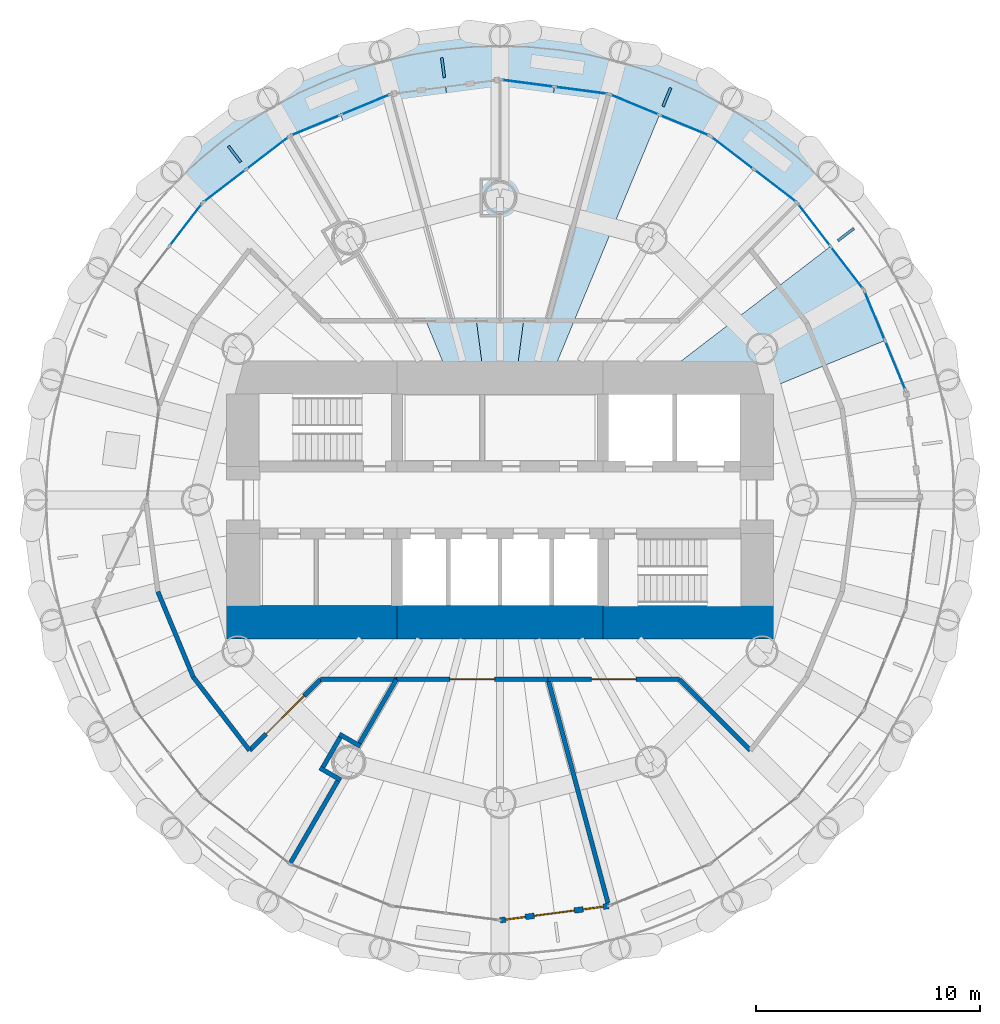
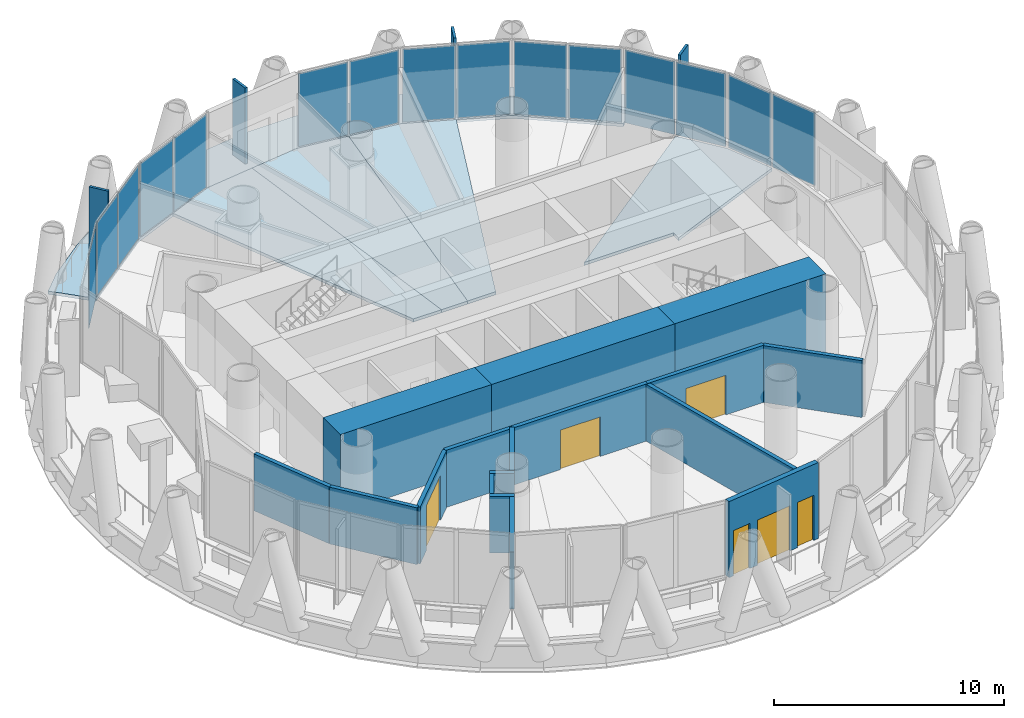
# One storey, part 8 of 15: 19 plates, 17 walls, 5 slabs, 4 doors, 2 windows, 6 openings, 8 elements without a shape of their own.
"""IFC4 building model written with IfcOpenShell, lengths in metres."""

from ifc_helpers import new_model, si_unit, direction, frame, frame_2d, origin, origin_2d, place, context, subcontext, project, spatial, polyline, rectangle, outline, extrude, material, layer, layer_set, type_object, element, fill, aggregate, save


model = new_model("IFC4")

# Units and contexts
model_context = context("Model", 3, precision=1e-05, world=origin(), true_north=direction((0.0, 1.0)))
body_context = subcontext(model_context, "Body", "Model", "MODEL_VIEW")
ifc_project = project(units=[si_unit("LENGTHUNIT", "METRE"), si_unit("AREAUNIT", "SQUARE_METRE"), si_unit("VOLUMEUNIT", "CUBIC_METRE"), si_unit("PLANEANGLEUNIT", "RADIAN"), si_unit("MASSUNIT", "GRAM", prefix="KILO")], contexts=[model_context])

# Site, building, storey
site_placement = place(None, origin())
site = spatial("IfcSite", under=ifc_project, at=site_placement, CompositionType="ELEMENT")
building_placement = place(site_placement, origin())
building = spatial("IfcBuilding", under=site, at=building_placement, Name="Qaws Media Tower", CompositionType="ELEMENT")
storey_placement = place(building_placement, frame((0.0, 0.0, 273.800048828125)))
storey = spatial("IfcBuildingStorey", under=building, at=storey_placement, Name="L63", CompositionType="ELEMENT", Elevation=273.800048828125)

# Slabs
ifc_material_1 = material(Name="Concrete C35/45", Category="concrete")
ifc_layer_1 = layer(ifc_material_1, 0.159912109375)
ifc_layer_set_1 = layer_set([ifc_layer_1], Name="Composite balcony slab 160")
slab_type_1 = type_object("IfcSlabType", Name="Composite balcony slab 160", PredefinedType="FLOOR", material=ifc_layer_set_1)
slab_1_placement = place(storey_placement, frame((0.0, 0.0, -0.16015625)))
element("IfcSlab", 1, at=slab_1_placement, inside=storey, type_object=slab_type_1, Name="S2 balcony slab L63 R04 to R10, movement joints on R04 and R10", PredefinedType="FLOOR", context=body_context, shape_type="SweptSolid", body=[
    extrude(outline(polyline([(46.186767578125, 65.7509765625), (48.36083984375, 67.419189453125), (50.734130859375, 68.78955078125), (53.265869140625, 69.838134765625), (55.912841796875, 70.547607421875), (58.6298828125, 70.905029296875), (61.3701171875, 70.905029296875), (64.087158203125, 70.547607421875), (66.734130859375, 69.838134765625), (69.265869140625, 68.78955078125), (71.63916015625, 67.419189453125), (73.813232421875, 65.7509765625), (74.7822265625, 64.7822265625), (73.25830078125, 63.25830078125), (69.375, 66.238037109375), (64.852783203125, 68.111083984375), (60.0, 68.75), (55.147216796875, 68.111083984375), (50.625, 66.238037109375), (46.74169921875, 63.25830078125), (45.2177734375, 64.7822265625), (46.186767578125, 65.7509765625)])), origin(), (0.0, 0.0, 1.0), 0.16015625),
])
ifc_material_2 = material(Name="Concrete C35/45", Category="concrete")
ifc_layer_2 = layer(ifc_material_2, 0.159912109375)
ifc_layer_set_2 = layer_set([ifc_layer_2], Name="Composite floor slab 160")
slab_type_2 = type_object("IfcSlabType", Name="Composite floor slab 160", PredefinedType="FLOOR", material=ifc_layer_set_2)
slab_2_placement = place(storey_placement, frame((0.0, 0.0, -0.16015625)))
element("IfcSlab", 2, at=slab_2_placement, inside=storey, type_object=slab_type_2, Name="S1 floor panel L63 on R03", PredefinedType="FLOOR", context=body_context, shape_type="SweptSolid", body=[
    extrude(outline(polyline([(76.238037109375, 59.375), (77.174560546875, 57.114013671875), (71.0, 54.556396484375), (71.0, 55.0), (66.51611328125, 55.0), (74.748046875, 61.316650390625), (76.238037109375, 59.375)])), origin(), (0.0, 0.0, 1.0), 0.16015625),
])
slab_3_placement = place(storey_placement, frame((0.0, 0.0, -0.16015625)))
element("IfcSlab", 3, at=slab_3_placement, inside=storey, type_object=slab_type_2, Name="S1 floor panel L63 on R06", PredefinedType="FLOOR", context=body_context, shape_type="SweptSolid", body=[
    extrude(outline(polyline([(64.852783203125, 68.111083984375), (67.114013671875, 67.174560546875), (62.071044921875, 55.0), (60.658203125, 55.0), (62.426513671875, 68.4306640625), (64.852783203125, 68.111083984375)])), origin(), (0.0, 0.0, 1.0), 0.16015625),
])
slab_4_placement = place(storey_placement, frame((0.0, 0.0, -0.16015625)))
element("IfcSlab", 4, at=slab_4_placement, inside=storey, type_object=slab_type_2, Name="S1 floor panel L63 on R07", PredefinedType="FLOOR", context=body_context, shape_type="SweptSolid", body=[
    extrude(outline(polyline([(60.0, 68.75), (62.426513671875, 68.4306640625), (60.658203125, 55.0), (59.341796875, 55.0), (57.573486328125, 68.4306640625), (60.0, 68.75)])), origin(), (0.0, 0.0, 1.0), 0.16015625),
])
slab_5_placement = place(storey_placement, frame((0.0, 0.0, -0.16015625)))
element("IfcSlab", 5, at=slab_5_placement, inside=storey, type_object=slab_type_2, Name="S1 floor panel L63 on R08", PredefinedType="FLOOR", context=body_context, shape_type="SweptSolid", body=[
    extrude(outline(polyline([(55.147216796875, 68.111083984375), (57.573486328125, 68.4306640625), (59.341796875, 55.0), (57.928955078125, 55.0), (52.885986328125, 67.174560546875), (55.147216796875, 68.111083984375)])), origin(), (0.0, 0.0, 1.0), 0.16015625),
])

# Curtain wall, plates
ifc_material_3 = material(Name="Aluminium and clear glass", Category="aluminium")
curtain_wall_type = type_object("IfcCurtainWallType", Name="Unitised curtain wall CW-D", PredefinedType="NOTDEFINED", material=ifc_material_3)
curtain_wall_1_placement = place(storey_placement, origin())
curtain_wall_1 = element("IfcCurtainWall", 6, at=curtain_wall_1_placement, inside=storey, type_object=curtain_wall_type, Name="CWD curtain wall L63-02", PredefinedType="NOTDEFINED")
ifc_material_4 = material(Name="Clear laminated double glazing", Category="glass")
ifc_layer_3 = layer(ifc_material_4, 0.031982421875)
ifc_layer_set_3 = layer_set([ifc_layer_3], Name="Curtain wall glass unit 32")
plate_type_1 = type_object("IfcPlateType", Name="Curtain wall glass unit 32", PredefinedType="CURTAIN_PANEL", material=ifc_layer_set_3)
plate_1_placement = place(storey_placement, frame((77.63525390625, 56.001953125, 0.080078125), z_axis=(0.0, 0.0, 1.0), x_axis=(-0.382683439057, 0.923879529739, 0.0)))
plate_1 = element("IfcPlate", 7, at=plate_1_placement, type_object=plate_type_1, Name="CWD panel 1.1", PredefinedType="CURTAIN_PANEL", context=body_context, shape_type="SweptSolid", body=[
    extrude(rectangle(XDim=2.327392578125, YDim=0.031982421875, at=origin_2d()), origin(), (0.0, 0.0, 1.0), 3.8798828125),
])
plate_2_placement = place(storey_placement, frame((76.7138671875, 58.22607421875, 0.080078125), z_axis=(0.0, 0.0, 1.0), x_axis=(-0.382683439057, 0.923879529739, 0.0)))
plate_2 = element("IfcPlate", 8, at=plate_2_placement, type_object=plate_type_1, Name="CWD panel 2.1", PredefinedType="CURTAIN_PANEL", context=body_context, shape_type="SweptSolid", body=[
    extrude(rectangle(XDim=2.327392578125, YDim=0.031982421875, at=origin_2d()), origin(), (0.0, 0.0, 1.0), 3.8798828125),
])
aggregate(curtain_wall_1, [plate_1, plate_2])

curtain_wall_2_placement = place(storey_placement, origin())
curtain_wall_2 = element("IfcCurtainWall", 9, at=curtain_wall_2_placement, inside=storey, type_object=curtain_wall_type, Name="CWD curtain wall L63-03", PredefinedType="NOTDEFINED")
plate_3_placement = place(storey_placement, frame((75.48095703125, 60.361572265625, 0.080078125), z_axis=(0.0, 0.0, 1.0), x_axis=(-0.608761421199, 0.793353346284, 0.0)))
plate_3 = element("IfcPlate", 10, at=plate_3_placement, type_object=plate_type_1, Name="CWD panel 1.1", PredefinedType="CURTAIN_PANEL", context=body_context, shape_type="SweptSolid", body=[
    extrude(rectangle(XDim=2.327392578125, YDim=0.031982421875, at=origin_2d()), origin(), (0.0, 0.0, 1.0), 3.8798828125),
])
plate_4_placement = place(storey_placement, frame((74.015380859375, 62.271484375, 0.080078125), z_axis=(0.0, 0.0, 1.0), x_axis=(-0.608761421199, 0.793353346284, 0.0)))
plate_4 = element("IfcPlate", 11, at=plate_4_placement, type_object=plate_type_1, Name="CWD panel 2.1", PredefinedType="CURTAIN_PANEL", context=body_context, shape_type="SweptSolid", body=[
    extrude(rectangle(XDim=2.327392578125, YDim=0.031982421875, at=origin_2d()), origin(), (0.0, 0.0, 1.0), 3.8798828125),
])
aggregate(curtain_wall_2, [plate_3, plate_4])

curtain_wall_3_placement = place(storey_placement, origin())
curtain_wall_3 = element("IfcCurtainWall", 12, at=curtain_wall_3_placement, inside=storey, type_object=curtain_wall_type, Name="CWD curtain wall L63-04", PredefinedType="NOTDEFINED")
plate_5_placement = place(storey_placement, frame((72.271484375, 64.015380859375, 0.080078125), z_axis=(0.0, 0.0, 1.0), x_axis=(-0.793353346284, 0.608761421199, 0.0)))
plate_5 = element("IfcPlate", 13, at=plate_5_placement, type_object=plate_type_1, Name="CWD panel 1.1", PredefinedType="CURTAIN_PANEL", context=body_context, shape_type="SweptSolid", body=[
    extrude(rectangle(XDim=2.327392578125, YDim=0.031982421875, at=origin_2d()), origin(), (0.0, 0.0, 1.0), 3.8798828125),
])
plate_6_placement = place(storey_placement, frame((70.361572265625, 65.48095703125, 0.080078125), z_axis=(0.0, 0.0, 1.0), x_axis=(-0.793353346284, 0.608761421199, 0.0)))
plate_6 = element("IfcPlate", 14, at=plate_6_placement, type_object=plate_type_1, Name="CWD panel 2.1", PredefinedType="CURTAIN_PANEL", context=body_context, shape_type="SweptSolid", body=[
    extrude(rectangle(XDim=2.327392578125, YDim=0.031982421875, at=origin_2d()), origin(), (0.0, 0.0, 1.0), 3.8798828125),
])
aggregate(curtain_wall_3, [plate_5, plate_6])

curtain_wall_4_placement = place(storey_placement, origin())
curtain_wall_4 = element("IfcCurtainWall", 15, at=curtain_wall_4_placement, inside=storey, type_object=curtain_wall_type, Name="CWD curtain wall L63-05", PredefinedType="NOTDEFINED")
plate_7_placement = place(storey_placement, frame((68.22607421875, 66.7138671875, 0.080078125), z_axis=(0.0, 0.0, 1.0), x_axis=(-0.923879529739, 0.382683439057, 0.0)))
plate_7 = element("IfcPlate", 16, at=plate_7_placement, type_object=plate_type_1, Name="CWD panel 1.1", PredefinedType="CURTAIN_PANEL", context=body_context, shape_type="SweptSolid", body=[
    extrude(rectangle(XDim=2.327392578125, YDim=0.031982421875, at=origin_2d()), origin(), (0.0, 0.0, 1.0), 3.8798828125),
])
plate_8_placement = place(storey_placement, frame((66.001953125, 67.63525390625, 0.080078125), z_axis=(0.0, 0.0, 1.0), x_axis=(-0.923879529739, 0.382683439057, 0.0)))
plate_8 = element("IfcPlate", 17, at=plate_8_placement, type_object=plate_type_1, Name="CWD panel 2.1", PredefinedType="CURTAIN_PANEL", context=body_context, shape_type="SweptSolid", body=[
    extrude(rectangle(XDim=2.327392578125, YDim=0.031982421875, at=origin_2d()), origin(), (0.0, 0.0, 1.0), 3.8798828125),
])
aggregate(curtain_wall_4, [plate_7, plate_8])

curtain_wall_5_placement = place(storey_placement, origin())
curtain_wall_5 = element("IfcCurtainWall", 18, at=curtain_wall_5_placement, inside=storey, type_object=curtain_wall_type, Name="CWD curtain wall L63-06", PredefinedType="NOTDEFINED")
plate_9_placement = place(storey_placement, frame((63.619873046875, 68.2734375, 0.080078125), z_axis=(0.0, 0.0, 1.0), x_axis=(-0.991444854619, 0.130526243526, 0.0)))
plate_9 = element("IfcPlate", 19, at=plate_9_placement, type_object=plate_type_1, Name="CWD panel 1.1", PredefinedType="CURTAIN_PANEL", context=body_context, shape_type="SweptSolid", body=[
    extrude(rectangle(XDim=2.327392578125, YDim=0.031982421875, at=origin_2d()), origin(), (0.0, 0.0, 1.0), 3.8798828125),
])
plate_10_placement = place(storey_placement, frame((61.233154296875, 68.587646484375, 0.080078125), z_axis=(0.0, 0.0, 1.0), x_axis=(-0.991444854619, 0.130526243526, 0.0)))
plate_10 = element("IfcPlate", 20, at=plate_10_placement, type_object=plate_type_1, Name="CWD panel 2.1", PredefinedType="CURTAIN_PANEL", context=body_context, shape_type="SweptSolid", body=[
    extrude(rectangle(XDim=2.327392578125, YDim=0.031982421875, at=origin_2d()), origin(), (0.0, 0.0, 1.0), 3.8798828125),
])
aggregate(curtain_wall_5, [plate_9, plate_10])

curtain_wall_6_placement = place(storey_placement, origin())
curtain_wall_6 = element("IfcCurtainWall", 21, at=curtain_wall_6_placement, inside=storey, type_object=curtain_wall_type, Name="CWD curtain wall L63-08", PredefinedType="NOTDEFINED")
plate_11_placement = place(storey_placement, frame((53.998046875, 67.63525390625, 0.080078125), z_axis=(0.0, 0.0, 1.0), x_axis=(-0.923879529739, -0.382683439057, 0.0)))
plate_11 = element("IfcPlate", 22, at=plate_11_placement, type_object=plate_type_1, Name="CWD panel 1.1", PredefinedType="CURTAIN_PANEL", context=body_context, shape_type="SweptSolid", body=[
    extrude(rectangle(XDim=2.327392578125, YDim=0.031982421875, at=origin_2d()), origin(), (0.0, 0.0, 1.0), 3.8798828125),
])
plate_12_placement = place(storey_placement, frame((51.77392578125, 66.7138671875, 0.080078125), z_axis=(0.0, 0.0, 1.0), x_axis=(-0.923879529739, -0.382683439057, 0.0)))
plate_12 = element("IfcPlate", 23, at=plate_12_placement, type_object=plate_type_1, Name="CWD panel 2.1", PredefinedType="CURTAIN_PANEL", context=body_context, shape_type="SweptSolid", body=[
    extrude(rectangle(XDim=2.327392578125, YDim=0.031982421875, at=origin_2d()), origin(), (0.0, 0.0, 1.0), 3.8798828125),
])
aggregate(curtain_wall_6, [plate_11, plate_12])

curtain_wall_7_placement = place(storey_placement, origin())
curtain_wall_7 = element("IfcCurtainWall", 24, at=curtain_wall_7_placement, inside=storey, type_object=curtain_wall_type, Name="CWD curtain wall L63-09", PredefinedType="NOTDEFINED")
plate_13_placement = place(storey_placement, frame((49.638427734375, 65.48095703125, 0.080078125), z_axis=(0.0, 0.0, 1.0), x_axis=(-0.793353346284, -0.608761421199, 0.0)))
plate_13 = element("IfcPlate", 25, at=plate_13_placement, type_object=plate_type_1, Name="CWD panel 1.1", PredefinedType="CURTAIN_PANEL", context=body_context, shape_type="SweptSolid", body=[
    extrude(rectangle(XDim=2.327392578125, YDim=0.031982421875, at=origin_2d()), origin(), (0.0, 0.0, 1.0), 3.8798828125),
])
plate_14_placement = place(storey_placement, frame((47.728515625, 64.015380859375, 0.080078125), z_axis=(0.0, 0.0, 1.0), x_axis=(-0.793353346284, -0.608761421199, 0.0)))
plate_14 = element("IfcPlate", 26, at=plate_14_placement, type_object=plate_type_1, Name="CWD panel 2.1", PredefinedType="CURTAIN_PANEL", context=body_context, shape_type="SweptSolid", body=[
    extrude(rectangle(XDim=2.327392578125, YDim=0.031982421875, at=origin_2d()), origin(), (0.0, 0.0, 1.0), 3.8798828125),
])
aggregate(curtain_wall_7, [plate_13, plate_14])

# Curtain wall, plate
curtain_wall_8_placement = place(storey_placement, origin())
curtain_wall_8 = element("IfcCurtainWall", 27, at=curtain_wall_8_placement, inside=storey, type_object=curtain_wall_type, Name="CWD curtain wall L63-10", PredefinedType="NOTDEFINED")
plate_15_placement = place(storey_placement, frame((45.984619140625, 62.271484375, 0.080078125), z_axis=(0.0, 0.0, 1.0), x_axis=(-0.608761421199, -0.793353346284, 0.0)))
plate_15 = element("IfcPlate", 28, at=plate_15_placement, type_object=plate_type_1, Name="CWD panel 1.1", PredefinedType="CURTAIN_PANEL", context=body_context, shape_type="SweptSolid", body=[
    extrude(rectangle(XDim=2.327392578125, YDim=0.031982421875, at=origin_2d()), origin(), (0.0, 0.0, 1.0), 3.8798828125),
])
aggregate(curtain_wall_8, [plate_15])

# Plates
ifc_material_5 = material(Name="Precast concrete screen fin", Category="concrete")
ifc_layer_4 = layer(ifc_material_5, 0.1201171875)
ifc_layer_set_4 = layer_set([ifc_layer_4], Name="Screen fin 120x900")
plate_type_2 = type_object("IfcPlateType", Name="Screen fin 120x900", PredefinedType="USERDEFINED", material=ifc_layer_set_4)
for number, where, z_axis, x_axis, name in (
    (29, (75.4306640625, 61.84033203125, 0.0), (0.0, 0.0, 1.0), (0.793353340291, 0.608761429009, 0.0), "SCR1 screen fin L63-02"),
    (30, (67.443115234375, 67.969482421875, 0.0), (0.0, 0.0, 1.0), (0.382683432365, 0.923879532511, 0.0), "SCR1 screen fin L63-03"),
    (31, (57.461181640625, 69.28369140625, 0.0), (0.0, 0.0, 1.0), (-0.13052619222, 0.991444861374, 0.0), "SCR1 screen fin L63-04"),
    (32, (48.15966796875, 65.4306640625, 0.0), (0.0, 0.0, 1.0), (-0.608761429009, 0.793353340291, 0.0), "SCR1 screen fin L63-05"),
):
    element("IfcPlate", number, at=place(storey_placement, frame(where, z_axis=z_axis, x_axis=x_axis)), inside=storey, type_object=plate_type_2, Name=name, ObjectType="SCREEN", PredefinedType="USERDEFINED", context=body_context, shape_type="SweptSolid", body=[
        extrude(rectangle(XDim=0.89990234375, YDim=0.1201171875, at=origin_2d()), origin(), (0.0, 0.0, 1.0), 4.0400390625),
    ])

# Wall, openings, door, windows
ifc_material_6 = material(Name="Precast concrete, exposed finish", Category="concrete")
ifc_layer_5 = layer(ifc_material_6, 0.25)
ifc_layer_set_5 = layer_set([ifc_layer_5], Name="Balcony door wall 250")
wall_type_1 = type_object("IfcWallType", Name="Balcony door wall 250", PredefinedType="SOLIDWALL", material=ifc_layer_set_5)
wall_1_placement = place(storey_placement, frame((60.0, 31.25, 0.0), z_axis=(0.0, 0.0, 1.0), x_axis=(0.991443936339, 0.130533218363, 0.0)))
wall_1 = element("IfcWall", 33, at=wall_1_placement, inside=storey, type_object=wall_type_1, Name="W289 EW1 balcony door wall L63-19", PredefinedType="SOLIDWALL", context=body_context, shape_type="SweptSolid", body=[
    extrude(rectangle(XDim=4.894775390625, YDim=0.25, at=frame_2d((2.447265625, 0.0))), origin(), (0.0, 0.0, 1.0), 4.0400390625),
])
opening_1_placement = place(wall_1_placement, frame((1.54736328125, 0.0, 0.0)))
opening_1 = element("IfcOpeningElement", 34, at=opening_1_placement, cuts=wall_1, Name="Opening D7", PredefinedType="OPENING", context=body_context, shape_type="SweptSolid", body=[
    extrude(rectangle(XDim=1.800048828125, YDim=2.39990234375, at=frame_2d((0.89990234375, 1.199951171875))), frame((0.0, 0.135009765625, 0.0), z_axis=(0.0, -1.0, 0.0), x_axis=(1.0, 0.0, 0.0)), (0.0, 0.0, 1.0), 0.27001953125),
])
opening_2_placement = place(wall_1_placement, frame((0.247314453125, 0.0, 0.0)))
opening_2 = element("IfcOpeningElement", 35, at=opening_2_placement, cuts=wall_1, Name="Opening W7", PredefinedType="OPENING", context=body_context, shape_type="SweptSolid", body=[
    extrude(rectangle(XDim=0.89990234375, YDim=2.39990234375, at=frame_2d((0.449951171875, 1.199951171875))), frame((0.0, 0.135009765625, 0.0), z_axis=(0.0, -1.0, 0.0), x_axis=(1.0, 0.0, 0.0)), (0.0, 0.0, 1.0), 0.27001953125),
])
opening_3_placement = place(wall_1_placement, frame((3.747314453125, 0.0, 0.0)))
opening_3 = element("IfcOpeningElement", 36, at=opening_3_placement, cuts=wall_1, Name="Opening W7", PredefinedType="OPENING", context=body_context, shape_type="SweptSolid", body=[
    extrude(rectangle(XDim=0.89990234375, YDim=2.39990234375, at=frame_2d((0.449951171875, 1.199951171875))), frame((0.0, 0.135009765625, 0.0), z_axis=(0.0, -1.0, 0.0), x_axis=(1.0, 0.0, 0.0)), (0.0, 0.0, 1.0), 0.27001953125),
])
ifc_material_7 = material(Name="Aluminium and clear glass", Category="aluminium")
door_type_1 = type_object("IfcDoorType", Name="Balcony door pair 1800", OperationType="DOUBLE_DOOR_SLIDING", PredefinedType="DOOR", material=ifc_material_7)
door_1_placement = place(opening_1_placement, origin())
door_1 = element("IfcDoor", 37, at=door_1_placement, inside=storey, type_object=door_type_1, Name="D7 balcony door L63-19 in wall W289", OperationType="DOUBLE_DOOR_SLIDING", OverallHeight=2.39990234375, OverallWidth=1.800048828125, PredefinedType="DOOR", context=body_context, shape_type="SweptSolid", body=[
    extrude(rectangle(XDim=1.800048828125, YDim=2.39990234375, at=frame_2d((0.89990234375, 1.199951171875))), frame((0.0, 0.02490234375, 0.0), z_axis=(0.0, -1.0, 0.0), x_axis=(1.0, 0.0, 0.0)), (0.0, 0.0, 1.0), 0.050048828125),
])
fill(opening_1, door_1)
ifc_material_8 = material(Name="Aluminium and clear glass", Category="aluminium")
window_type = type_object("IfcWindowType", Name="Balcony side window 900", PartitioningType="SINGLE_PANEL", PredefinedType="WINDOW", material=ifc_material_8)
window_1_placement = place(opening_2_placement, origin())
window_1 = element("IfcWindow", 38, at=window_1_placement, inside=storey, type_object=window_type, Name="W1 balcony side light L63-19L", OverallHeight=2.39990234375, OverallWidth=0.89990234375, PartitioningType="SINGLE_PANEL", PredefinedType="WINDOW", context=body_context, shape_type="SweptSolid", body=[
    extrude(rectangle(XDim=0.89990234375, YDim=2.39990234375, at=frame_2d((0.449951171875, 1.199951171875))), frame((0.0, 0.030029296875, 0.0), z_axis=(0.0, -1.0, 0.0), x_axis=(1.0, 0.0, 0.0)), (0.0, 0.0, 1.0), 0.06005859375),
])
fill(opening_2, window_1)
window_2_placement = place(opening_3_placement, origin())
window_2 = element("IfcWindow", 39, at=window_2_placement, inside=storey, type_object=window_type, Name="W1 balcony side light L63-19R", OverallHeight=2.39990234375, OverallWidth=0.89990234375, PartitioningType="SINGLE_PANEL", PredefinedType="WINDOW", context=body_context, shape_type="SweptSolid", body=[
    extrude(rectangle(XDim=0.89990234375, YDim=2.39990234375, at=frame_2d((0.449951171875, 1.199951171875))), frame((0.0, 0.030029296875, 0.0), z_axis=(0.0, -1.0, 0.0), x_axis=(1.0, 0.0, 0.0)), (0.0, 0.0, 1.0), 0.06005859375),
])
fill(opening_3, window_2)

# Walls
ifc_material_9 = material(Name="Concrete C60/75", Category="concrete")
ifc_layer_6 = layer(ifc_material_9, 1.5)
ifc_layer_set_6 = layer_set([ifc_layer_6], Name="Core wall 1500")
wall_type_2 = type_object("IfcWallType", Name="Core wall 1500", PredefinedType="SHEAR", material=ifc_layer_set_6)
wall_2_placement = place(storey_placement, frame((47.800048828125, 44.550048828125, 0.0), z_axis=(0.0, 0.0, 1.0), x_axis=(1.0, 0.0, 0.0)))
element("IfcWall", 40, at=wall_2_placement, inside=storey, type_object=wall_type_2, Name="W376 SW13 core wall SW L63", PredefinedType="SHEAR", context=body_context, shape_type="SweptSolid", body=[
    extrude(rectangle(XDim=7.599853515625, YDim=1.5, at=frame_2d((3.7998046875, 0.0))), origin(), (0.0, 0.0, 1.0), 4.199951171875),
])
wall_3_placement = place(storey_placement, frame((55.39990234375, 44.550048828125, 0.0), z_axis=(0.0, 0.0, 1.0), x_axis=(1.0, 0.0, 0.0)))
element("IfcWall", 41, at=wall_3_placement, inside=storey, type_object=wall_type_2, Name="W372 SW13 core wall S L63", PredefinedType="SHEAR", context=body_context, shape_type="SweptSolid", body=[
    extrude(rectangle(XDim=9.2001953125, YDim=1.5, at=frame_2d((4.60009765625, 0.0))), origin(), (0.0, 0.0, 1.0), 4.199951171875),
])
wall_4_placement = place(storey_placement, frame((64.60009765625, 44.550048828125, 0.0), z_axis=(0.0, 0.0, 1.0), x_axis=(1.0, 0.0, 0.0)))
element("IfcWall", 42, at=wall_4_placement, inside=storey, type_object=wall_type_2, Name="W381 SW13 core wall SE L63", PredefinedType="SHEAR", context=body_context, shape_type="SweptSolid", body=[
    extrude(rectangle(XDim=7.599853515625, YDim=1.5, at=frame_2d((3.7998046875, 0.0))), origin(), (0.0, 0.0, 1.0), 4.199951171875),
])

# Wall, opening, door
ifc_material_10 = material(Name="Gypsum board on galvanised metal studs, acoustic double stud, deflection head", Category="gypsum")
ifc_layer_7 = layer(ifc_material_10, 0.199951171875)
ifc_layer_set_7 = layer_set([ifc_layer_7], Name="Room partition 200")
wall_type_3 = type_object("IfcWallType", Name="Room partition 200", PredefinedType="PARTITIONING", material=ifc_layer_set_7)
wall_5_placement = place(storey_placement, frame((52.0, 42.0, 0.0), z_axis=(0.0, 0.0, 1.0), x_axis=(-0.707106781187, -0.707106781187, 0.0)))
wall_5 = element("IfcWall", 43, at=wall_5_placement, inside=storey, type_object=wall_type_3, Name="W1716 IW3 partition L63", PredefinedType="PARTITIONING", context=body_context, shape_type="SweptSolid", body=[
    extrude(rectangle(XDim=4.486328125, YDim=0.199951171875, at=frame_2d((2.2431640625, 0.0))), origin(), (0.0, 0.0, 1.0), 3.02001953125),
])
opening_4_placement = place(wall_5_placement, frame((1.043212890625, 0.0, 0.0)))
opening_4 = element("IfcOpeningElement", 44, at=opening_4_placement, cuts=wall_5, Name="Opening D17", PredefinedType="OPENING", context=body_context, shape_type="SweptSolid", body=[
    extrude(rectangle(XDim=2.39990234375, YDim=2.39990234375, at=frame_2d((1.199951171875, 1.199951171875))), frame((0.0, 0.10986328125, 0.0), z_axis=(0.0, -1.0, 0.0), x_axis=(1.0, 0.0, 0.0)), (0.0, 0.0, 1.0), 0.219970703125),
])
ifc_material_11 = material(Name="Timber veneered, panic hardware", Category="wood")
door_type_2 = type_object("IfcDoorType", Name="Assembly room door pair 2400x2400", OperationType="DOUBLE_DOOR_DOUBLE_SWING", PredefinedType="DOOR", material=ifc_material_11)
door_2_placement = place(opening_4_placement, origin())
door_2 = element("IfcDoor", 45, at=door_2_placement, inside=storey, type_object=door_type_2, Name="D17 Directors' lounge door L63 in wall W1716", OperationType="DOUBLE_DOOR_DOUBLE_SWING", OverallHeight=2.39990234375, OverallWidth=2.39990234375, PredefinedType="DOOR", context=body_context, shape_type="SweptSolid", body=[
    extrude(rectangle(XDim=2.39990234375, YDim=2.39990234375, at=frame_2d((1.199951171875, 1.199951171875))), frame((0.0, 0.02490234375, 0.0), z_axis=(0.0, -1.0, 0.0), x_axis=(1.0, 0.0, 0.0)), (0.0, 0.0, 1.0), 0.050048828125),
])
fill(opening_4, door_2)

# Walls
wall_6_placement = place(storey_placement, frame((48.82763671875, 38.82763671875, 0.0), z_axis=(0.0, 0.0, 1.0), x_axis=(-0.608714823874, 0.793389099494, 0.0)))
element("IfcWall", 46, at=wall_6_placement, inside=storey, type_object=wall_type_3, Name="W1714 IW3 partition L63", PredefinedType="PARTITIONING", context=body_context, shape_type="SweptSolid", body=[
    extrude(rectangle(XDim=4.124755859375, YDim=0.199951171875, at=frame_2d((2.0625, 0.0))), origin(), (0.0, 0.0, 1.0), 3.02001953125),
])
wall_7_placement = place(storey_placement, frame((46.31689453125, 42.10009765625, 0.0), z_axis=(0.0, 0.0, 1.0), x_axis=(-0.382731667114, 0.923859551549, 0.0)))
element("IfcWall", 47, at=wall_7_placement, inside=storey, type_object=wall_type_3, Name="W1711 IW3 partition L63", PredefinedType="PARTITIONING", context=body_context, shape_type="SweptSolid", body=[
    extrude(rectangle(XDim=4.12451171875, YDim=0.199951171875, at=frame_2d((2.062255859375, 0.0))), origin(), (0.0, 0.0, 1.0), 3.02001953125),
])
wall_8_placement = place(storey_placement, frame((71.17236328125, 38.82763671875, 0.0), z_axis=(0.0, 0.0, 1.0), x_axis=(-0.707106781187, 0.707106781187, 0.0)))
element("IfcWall", 48, at=wall_8_placement, inside=storey, type_object=wall_type_3, Name="W1768 IW3 partition L63", PredefinedType="PARTITIONING", context=body_context, shape_type="SweptSolid", body=[
    extrude(rectangle(XDim=4.486328125, YDim=0.199951171875, at=frame_2d((2.2431640625, 0.0))), origin(), (0.0, 0.0, 1.0), 3.02001953125),
])

# Wall, opening, door
wall_9_placement = place(storey_placement, frame((68.0, 42.0, 0.0), z_axis=(0.0, 0.0, 1.0), x_axis=(-1.0, 0.0, 0.0)))
wall_9 = element("IfcWall", 49, at=wall_9_placement, inside=storey, type_object=wall_type_3, Name="W1767 IW3 partition L63", PredefinedType="PARTITIONING", context=body_context, shape_type="SweptSolid", body=[
    extrude(rectangle(XDim=5.8564453125, YDim=0.199951171875, at=frame_2d((2.92822265625, 0.0))), origin(), (0.0, 0.0, 1.0), 3.0400390625),
])
opening_5_placement = place(wall_9_placement, frame((1.92822265625, 0.0, 0.0)))
opening_5 = element("IfcOpeningElement", 50, at=opening_5_placement, cuts=wall_9, Name="Opening D6", PredefinedType="OPENING", context=body_context, shape_type="SweptSolid", body=[
    extrude(rectangle(XDim=2.0, YDim=2.10009765625, at=frame_2d((1.0, 1.050048828125))), frame((0.0, 0.10986328125, 0.0), z_axis=(0.0, -1.0, 0.0), x_axis=(1.0, 0.0, 0.0)), (0.0, 0.0, 1.0), 0.219970703125),
])
ifc_material_12 = material(Name="Steel, acoustic, fire rated", Category="steel")
door_type_3 = type_object("IfcDoorType", Name="Room door pair 2000", OperationType="DOUBLE_DOOR_DOUBLE_SWING", PredefinedType="DOOR", material=ifc_material_12)
door_3_placement = place(opening_5_placement, origin())
door_3 = element("IfcDoor", 51, at=door_3_placement, inside=storey, type_object=door_type_3, Name="D6 Board office door L63 in wall W1767", OperationType="DOUBLE_DOOR_DOUBLE_SWING", OverallHeight=2.10009765625, OverallWidth=2.0, PredefinedType="DOOR", context=body_context, shape_type="SweptSolid", body=[
    extrude(rectangle(XDim=2.0, YDim=2.10009765625, at=frame_2d((1.0, 1.050048828125))), frame((0.0, 0.02490234375, 0.0), z_axis=(0.0, -1.0, 0.0), x_axis=(1.0, 0.0, 0.0)), (0.0, 0.0, 1.0), 0.050048828125),
])
fill(opening_5, door_3)

wall_10_placement = place(storey_placement, frame((62.1435546875, 42.0, 0.0), z_axis=(0.0, 0.0, 1.0), x_axis=(-1.0, 0.0, 0.0)))
wall_10 = element("IfcWall", 52, at=wall_10_placement, inside=storey, type_object=wall_type_3, Name="W1765 IW3 partition L63", PredefinedType="PARTITIONING", context=body_context, shape_type="SweptSolid", body=[
    extrude(rectangle(XDim=6.762451171875, YDim=0.199951171875, at=frame_2d((3.38134765625, 0.0))), origin(), (0.0, 0.0, 1.0), 3.0400390625),
])
opening_6_placement = place(wall_10_placement, frame((2.381103515625, 0.0, 0.0)))
opening_6 = element("IfcOpeningElement", 53, at=opening_6_placement, cuts=wall_10, Name="Opening D6", PredefinedType="OPENING", context=body_context, shape_type="SweptSolid", body=[
    extrude(rectangle(XDim=2.0, YDim=2.10009765625, at=frame_2d((1.0, 1.050048828125))), frame((0.0, 0.10986328125, 0.0), z_axis=(0.0, -1.0, 0.0), x_axis=(1.0, 0.0, 0.0)), (0.0, 0.0, 1.0), 0.219970703125),
])
door_4_placement = place(opening_6_placement, origin())
door_4 = element("IfcDoor", 54, at=door_4_placement, inside=storey, type_object=door_type_3, Name="D6 Board dining room door L63 in wall W1765", OperationType="DOUBLE_DOOR_DOUBLE_SWING", OverallHeight=2.10009765625, OverallWidth=2.0, PredefinedType="DOOR", context=body_context, shape_type="SweptSolid", body=[
    extrude(rectangle(XDim=2.0, YDim=2.10009765625, at=frame_2d((1.0, 1.050048828125))), frame((0.0, 0.02490234375, 0.0), z_axis=(0.0, -1.0, 0.0), x_axis=(1.0, 0.0, 0.0)), (0.0, 0.0, 1.0), 0.050048828125),
])
fill(opening_6, door_4)

# Walls
wall_11_placement = place(storey_placement, frame((55.381103515625, 42.0, 0.0), z_axis=(0.0, 0.0, 1.0), x_axis=(-1.0, 0.0, 0.0)))
element("IfcWall", 55, at=wall_11_placement, inside=storey, type_object=wall_type_3, Name="W1762 IW3 partition L63", PredefinedType="PARTITIONING", context=body_context, shape_type="SweptSolid", body=[
    extrude(rectangle(XDim=3.381103515625, YDim=0.199951171875, at=frame_2d((1.6904296875, 0.0))), origin(), (0.0, 0.0, 1.0), 3.0400390625),
])
for number, where, z_axis, x_axis, name in (
    (56, (53.772216796875, 39.012939453125, 0.0), (0.0, 0.0, 1.0), (-0.86603892542, 0.499976579108, 0.0), "W1118 IW3 partition return L63"),
    (57, (52.901123046875, 37.50439453125, 0.0), (0.0, 0.0, 1.0), (-0.86603892542, 0.499976579108, 0.0), "W1117 IW3 partition return L63"),
):
    element("IfcWall", number, at=place(storey_placement, frame(where, z_axis=z_axis, x_axis=x_axis)), inside=storey, type_object=wall_type_3, Name=name, PredefinedType="PARTITIONING", context=body_context, shape_type="SweptSolid", body=[
        extrude(rectangle(XDim=1.0810546875, YDim=0.199951171875, at=frame_2d((0.54052734375, 0.0))), origin(), (0.0, 0.0, 1.0), 3.02001953125),
    ])
wall_12_placement = place(storey_placement, frame((52.87255859375, 39.4169921875, 0.0), z_axis=(0.0, 0.0, 1.0), x_axis=(-0.499987416453, -0.866032668777, 0.0)))
element("IfcWall", 58, at=wall_12_placement, inside=storey, type_object=wall_type_3, Name="W1116 IW3 partition return L63", PredefinedType="PARTITIONING", context=body_context, shape_type="SweptSolid", body=[
    extrude(rectangle(XDim=1.5419921875, YDim=0.199951171875, at=frame_2d((0.77099609375, 0.0))), origin(), (0.0, 0.0, 1.0), 3.02001953125),
])
wall_13_placement = place(storey_placement, frame((55.3798828125, 41.997802734375, 0.0), z_axis=(0.0, 0.0, 1.0), x_axis=(-0.499979497339, -0.866037240677, 0.0)))
element("IfcWall", 59, at=wall_13_placement, inside=storey, type_object=wall_type_3, Name="W1761 IW3 partition L63", PredefinedType="PARTITIONING", context=body_context, shape_type="SweptSolid", body=[
    extrude(rectangle(XDim=3.288818359375, YDim=0.199951171875, at=frame_2d((1.64453125, 0.0))), origin(), (0.0, 0.0, 1.0), 3.0400390625),
])
wall_14_placement = place(storey_placement, frame((52.764404296875, 37.4677734375, 0.0), z_axis=(0.0, 0.0, 1.0), x_axis=(-0.499973391437, -0.8660407657, 0.0)))
element("IfcWall", 60, at=wall_14_placement, inside=storey, type_object=wall_type_3, Name="W1771 IW3 partition L63", PredefinedType="PARTITIONING", context=body_context, shape_type="SweptSolid", body=[
    extrude(rectangle(XDim=4.239013671875, YDim=0.199951171875, at=frame_2d((2.11962890625, 0.0))), origin(), (0.0, 0.0, 1.0), 3.02001953125),
])
wall_15_placement = place(storey_placement, frame((62.14306640625, 42.002197265625, 0.0), z_axis=(0.0, 0.0, 1.0), x_axis=(0.258817203967, -0.965926319618, 0.0)))
element("IfcWall", 61, at=wall_15_placement, inside=storey, type_object=wall_type_3, Name="W1773 IW3 partition L63", PredefinedType="PARTITIONING", context=body_context, shape_type="SweptSolid", body=[
    extrude(rectangle(XDim=10.330078125, YDim=0.199951171875, at=frame_2d((5.1650390625, 0.0))), origin(), (0.0, 0.0, 1.0), 3.02001953125),
])

save(model, "model.ifc")
